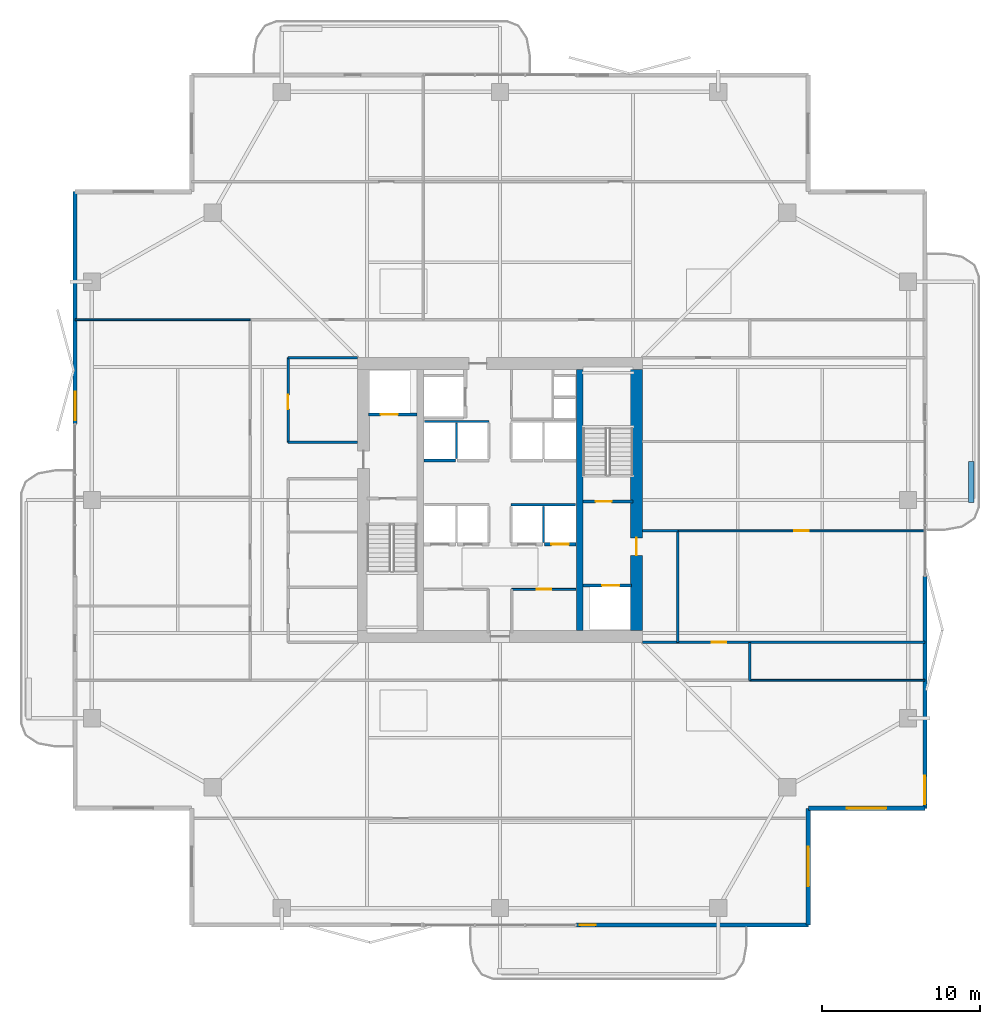
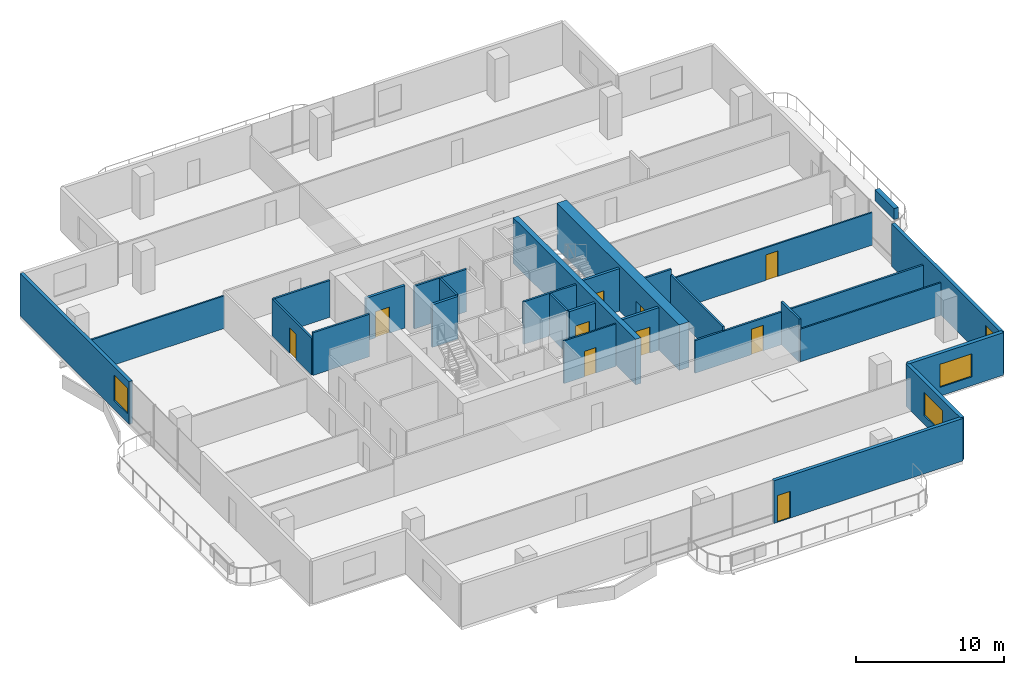
# One storey, part 18 of 24: 28 walls, 10 doors, 4 windows, 14 openings.
"""IFC4 building model written with IfcOpenShell, lengths in metres."""

from ifc_helpers import new_model, si_unit, direction, frame, frame_2d, origin, place, context, subcontext, project, spatial, rectangle, extrude, material, layer, layer_set, type_object, element, fill, save


model = new_model("IFC4")

# Units and contexts
model_context = context("Model", 3, precision=1e-05, world=origin(), true_north=direction((0.0, 1.0)))
body_context = subcontext(model_context, "Body", "Model", "MODEL_VIEW")
ifc_project = project(units=[si_unit("LENGTHUNIT", "METRE"), si_unit("AREAUNIT", "SQUARE_METRE"), si_unit("VOLUMEUNIT", "CUBIC_METRE"), si_unit("PLANEANGLEUNIT", "RADIAN"), si_unit("MASSUNIT", "GRAM", prefix="KILO")], contexts=[model_context])

# Site, building, storey
site_placement = place(None, origin())
site = spatial("IfcSite", under=ifc_project, at=site_placement, CompositionType="ELEMENT")
building_placement = place(site_placement, origin())
building = spatial("IfcBuilding", under=site, at=building_placement, Name="Belovzor Exchange Tower", CompositionType="ELEMENT")
storey_placement = place(building_placement, frame((0.0, 0.0, 237.449951171875)))
storey = spatial("IfcBuildingStorey", under=building, at=storey_placement, Name="L59", CompositionType="ELEMENT", Elevation=237.449951171875)

# Wall, opening, door
ifc_material_1 = material(Name="Acoustic Plasterboard on Galvanised Studs", Category="gypsum")
ifc_layer_1 = layer(ifc_material_1, 0.1201171875)
ifc_layer_set_1 = layer_set([ifc_layer_1], Name="Acoustic Plasterboard on Galvanised Studs")
wall_type_1 = type_object("IfcWallType", Name="Acoustic Double-Stud Partition Wall 120", PredefinedType="PARTITIONING", material=ifc_layer_set_1)
wall_1_placement = place(storey_placement, frame((40.050048828125, 26.85009765625, 0.0), z_axis=(0.0, 0.0, 1.0), x_axis=(1.0, 0.0, 0.0)))
wall_1 = element("IfcWall", 1, at=wall_1_placement, inside=storey, type_object=wall_type_1, Name="W-P120 Partition Wall W-L59-EDIV-1", PredefinedType="PARTITIONING", context=body_context, shape_type="SweptSolid", body=[
    extrude(rectangle(XDim=15.619873046875, YDim=0.1201171875, at=frame_2d((7.81005859375, 0.0))), origin(), (0.0, 0.0, 1.0), 2.68505859375),
])
opening_1_placement = place(wall_1_placement, frame((7.360107421875, 0.0, 0.0)))
opening_1 = element("IfcOpeningElement", 2, at=opening_1_placement, cuts=wall_1, Name="Opening D-INT-090", PredefinedType="OPENING", context=body_context, shape_type="SweptSolid", body=[
    extrude(rectangle(XDim=0.89990234375, YDim=2.10009765625, at=frame_2d((0.449951171875, 1.050048828125))), frame((0.0, 0.070068359375, 0.0), z_axis=(0.0, -1.0, 0.0), x_axis=(1.0, 0.0, 0.0)), (0.0, 0.0, 1.0), 0.14013671875),
])
ifc_material_2 = material(Name="Veneered Hardwood Acoustic Leaf", Category="wood")
door_type_1 = type_object("IfcDoorType", Name="Trading Suite Acoustic Single Door 900x2100", OperationType="NOTDEFINED", PredefinedType="DOOR", material=ifc_material_2)
door_1_placement = place(opening_1_placement, origin())
door_1 = element("IfcDoor", 3, at=door_1_placement, inside=storey, type_object=door_type_1, Name="D-INT-090 Trading Suite Acoustic Single Door 900x2100", OperationType="SINGLE_SWING_LEFT", OverallHeight=2.10009765625, OverallWidth=0.89990234375, PredefinedType="DOOR", context=body_context, shape_type="SweptSolid", body=[
    extrude(rectangle(XDim=0.89990234375, YDim=2.10009765625, at=frame_2d((0.449951171875, 1.050048828125))), frame((0.0, 0.02490234375, 0.0), z_axis=(0.0, -1.0, 0.0), x_axis=(1.0, 0.0, 0.0)), (0.0, 0.0, 1.0), 0.050048828125),
])
fill(opening_1, door_1)

# Walls
wall_2_placement = place(storey_placement, frame((44.60009765625, 17.39990234375, 0.0), z_axis=(0.0, 0.0, 1.0), x_axis=(1.0, 0.0, 0.0)))
element("IfcWall", 4, at=wall_2_placement, inside=storey, type_object=wall_type_1, Name="W-P120 Partition Wall W-L59-END-SE", PredefinedType="PARTITIONING", context=body_context, shape_type="SweptSolid", body=[
    extrude(rectangle(XDim=11.06982421875, YDim=0.1201171875, at=frame_2d((5.534912109375, 0.0))), origin(), (0.0, 0.0, 1.0), 2.68505859375),
])
wall_3_placement = place(storey_placement, frame((1.929931640625, 40.199951171875, 0.0), z_axis=(0.0, 0.0, 1.0), x_axis=(1.0, 0.0, 0.0)))
element("IfcWall", 5, at=wall_3_placement, inside=storey, type_object=wall_type_1, Name="W-P120 Partition Wall W-L59-END-NW", PredefinedType="PARTITIONING", context=body_context, shape_type="SweptSolid", body=[
    extrude(rectangle(XDim=11.070068359375, YDim=0.1201171875, at=frame_2d((5.53515625, 0.0))), origin(), (0.0, 0.0, 1.0), 2.68505859375),
])

# Wall, opening, door
ifc_material_3 = material(Name="Fire-Rated Plasterboard on Galvanised Studs", Category="gypsum")
ifc_layer_2 = layer(ifc_material_3, 0.1201171875)
ifc_layer_set_2 = layer_set([ifc_layer_2], Name="Fire-Rated Plasterboard on Galvanised Studs")
wall_type_2 = type_object("IfcWallType", Name="Fire-Rated Double-Stud Partition Wall 120", PredefinedType="PARTITIONING", material=ifc_layer_set_2)
wall_4_placement = place(storey_placement, frame((29.550048828125, 23.14990234375, 0.0), z_axis=(0.0, 0.0, 1.0), x_axis=(1.0, 0.0, 0.0)))
wall_4 = element("IfcWall", 6, at=wall_4_placement, inside=storey, type_object=wall_type_2, Name="W-P120F Partition Wall W-CRL-L59-EN", PredefinedType="PARTITIONING", context=body_context, shape_type="SweptSolid", body=[
    extrude(rectangle(XDim=4.050048828125, YDim=0.1201171875, at=frame_2d((2.02490234375, 0.0))), origin(), (0.0, 0.0, 1.0), 3.5),
])
opening_2_placement = place(wall_4_placement, frame((1.574951171875, 0.0, 0.0)))
opening_2 = element("IfcOpeningElement", 7, at=opening_2_placement, cuts=wall_4, Name="Opening D-FD60-090", PredefinedType="OPENING", context=body_context, shape_type="SweptSolid", body=[
    extrude(rectangle(XDim=0.89990234375, YDim=2.10009765625, at=frame_2d((0.449951171875, 1.050048828125))), frame((0.0, 0.070068359375, 0.0), z_axis=(0.0, -1.0, 0.0), x_axis=(1.0, 0.0, 0.0)), (0.0, 0.0, 1.0), 0.14013671875),
])
ifc_material_4 = material(Name="Acoustic Timber Fire Leaf", Category="wood")
door_type_2 = type_object("IfcDoorType", Name="Core Service & Restroom Fire Door 900x2100", OperationType="NOTDEFINED", PredefinedType="DOOR", material=ifc_material_4)
door_2_placement = place(opening_2_placement, origin())
door_2 = element("IfcDoor", 8, at=door_2_placement, inside=storey, type_object=door_type_2, Name="D-FD60-090 Core Service & Restroom Fire Door 900x2100", OperationType="SINGLE_SWING_RIGHT", OverallHeight=2.10009765625, OverallWidth=0.89990234375, PredefinedType="DOOR", context=body_context, shape_type="SweptSolid", body=[
    extrude(rectangle(XDim=0.89990234375, YDim=2.10009765625, at=frame_2d((0.449951171875, 1.050048828125))), frame((0.0, 0.02490234375, 0.0), z_axis=(0.0, -1.0, 0.0), x_axis=(1.0, 0.0, 0.0)), (0.0, 0.0, 1.0), 0.050048828125),
])
fill(opening_2, door_2)

# Walls
ifc_material_5 = material(Name="Fire-Rated Gypsum Block and Mineral Wool", Category="gypsum")
ifc_layer_3 = layer(ifc_material_5, 0.14990234375)
ifc_layer_set_3 = layer_set([ifc_layer_3], Name="Fire-Rated Gypsum Block and Mineral Wool")
wall_type_3 = type_object("IfcWallType", Name="Fire-Rated Gypsum Block Corridor Wall 150", PredefinedType="PARTITIONING", material=ifc_layer_set_3)
wall_5_placement = place(storey_placement, frame((15.39990234375, 32.449951171875, 0.0), z_axis=(0.0, 0.0, 1.0), x_axis=(1.0, 0.0, 0.0)))
element("IfcWall", 9, at=wall_5_placement, inside=storey, type_object=wall_type_3, Name="W-P150 Partition Wall W-L59-CFW-N", PredefinedType="PARTITIONING", context=body_context, shape_type="SweptSolid", body=[
    extrude(rectangle(XDim=4.400146484375, YDim=0.14990234375, at=frame_2d((2.2001953125, 0.0))), origin(), (0.0, 0.0, 1.0), 3.5),
])
wall_6_placement = place(storey_placement, frame((15.39990234375, 37.800048828125, 0.0), z_axis=(0.0, 0.0, 1.0), x_axis=(1.0, 0.0, 0.0)))
element("IfcWall", 10, at=wall_6_placement, inside=storey, type_object=wall_type_3, Name="W-P150 Partition Wall W-L59-INW-N", PredefinedType="PARTITIONING", context=body_context, shape_type="SweptSolid", body=[
    extrude(rectangle(XDim=4.400146484375, YDim=0.14990234375, at=frame_2d((2.2001953125, 0.0))), origin(), (0.0, 0.0, 1.0), 3.03515625),
])

# Wall, opening, door
wall_7_placement = place(storey_placement, frame((15.39990234375, 32.449951171875, 0.0), z_axis=(0.0, 0.0, 1.0), x_axis=(0.0, 1.0, 0.0)))
wall_7 = element("IfcWall", 11, at=wall_7_placement, inside=storey, type_object=wall_type_3, Name="W-P150 Partition Wall W-L59-WIE-N", PredefinedType="PARTITIONING", context=body_context, shape_type="SweptSolid", body=[
    extrude(rectangle(XDim=5.35009765625, YDim=0.14990234375, at=frame_2d((2.675048828125, 0.0))), origin(), (0.0, 0.0, 1.0), 3.03515625),
])
opening_3_placement = place(wall_7_placement, frame((2.10009765625, 0.0, 0.0)))
opening_3 = element("IfcOpeningElement", 12, at=opening_3_placement, cuts=wall_7, Name="Opening D-FD60-090", PredefinedType="OPENING", context=body_context, shape_type="SweptSolid", body=[
    extrude(rectangle(XDim=0.89990234375, YDim=2.10009765625, at=frame_2d((0.449951171875, 1.050048828125))), frame((0.0, 0.0849609375, 0.0), z_axis=(0.0, -1.0, 0.0), x_axis=(1.0, 0.0, 0.0)), (0.0, 0.0, 1.0), 0.169921875),
])
door_3_placement = place(opening_3_placement, origin())
door_3 = element("IfcDoor", 13, at=door_3_placement, inside=storey, type_object=door_type_2, Name="D-FD60-090 Core Service & Restroom Fire Door 900x2100", OperationType="SINGLE_SWING_LEFT", OverallHeight=2.10009765625, OverallWidth=0.89990234375, PredefinedType="DOOR", context=body_context, shape_type="SweptSolid", body=[
    extrude(rectangle(XDim=0.89990234375, YDim=2.10009765625, at=frame_2d((0.449951171875, 1.050048828125))), frame((0.0, 0.02490234375, 0.0), z_axis=(0.0, -1.0, 0.0), x_axis=(1.0, 0.0, 0.0)), (0.0, 0.0, 1.0), 0.050048828125),
])
fill(opening_3, door_3)

# Walls
wall_8_placement = place(storey_placement, frame((37.800048828125, 26.85009765625, 0.0), z_axis=(0.0, 0.0, 1.0), x_axis=(1.0, 0.0, 0.0)))
element("IfcWall", 14, at=wall_8_placement, inside=storey, type_object=wall_type_3, Name="W-P150 Partition Wall W-L59-CFE-N", PredefinedType="PARTITIONING", context=body_context, shape_type="SweptSolid", body=[
    extrude(rectangle(XDim=2.25, YDim=0.14990234375, at=frame_2d((1.125, 0.0))), origin(), (0.0, 0.0, 1.0), 3.5),
])
wall_9_placement = place(storey_placement, frame((40.050048828125, 19.800048828125, 0.0), z_axis=(0.0, 0.0, 1.0), x_axis=(0.0, 1.0, 0.0)))
element("IfcWall", 15, at=wall_9_placement, inside=storey, type_object=wall_type_3, Name="W-P150 Partition Wall W-L59-CFE-E", PredefinedType="PARTITIONING", context=body_context, shape_type="SweptSolid", body=[
    extrude(rectangle(XDim=7.050048828125, YDim=0.14990234375, at=frame_2d((3.52490234375, 0.0))), origin(), (0.0, 0.0, 1.0), 3.03515625),
])
wall_10_placement = place(storey_placement, frame((44.60009765625, 17.39990234375, 0.0), z_axis=(0.0, 0.0, 1.0), x_axis=(0.0, 1.0, 0.0)))
element("IfcWall", 16, at=wall_10_placement, inside=storey, type_object=wall_type_3, Name="W-P150 Partition Wall W-L59-END-ES", PredefinedType="PARTITIONING", context=body_context, shape_type="SweptSolid", body=[
    extrude(rectangle(XDim=2.400146484375, YDim=0.14990234375, at=frame_2d((1.2001953125, 0.0))), origin(), (0.0, 0.0, 1.0), 3.5),
])

# Wall, opening, door
wall_11_placement = place(storey_placement, frame((37.800048828125, 19.800048828125, 0.0), z_axis=(0.0, 0.0, 1.0), x_axis=(1.0, 0.0, 0.0)))
wall_11 = element("IfcWall", 17, at=wall_11_placement, inside=storey, type_object=wall_type_3, Name="W-P150 Partition Wall W-L59-CS-IN", PredefinedType="PARTITIONING", context=body_context, shape_type="SweptSolid", body=[
    extrude(rectangle(XDim=17.869873046875, YDim=0.14990234375, at=frame_2d((8.93505859375, 0.0))), origin(), (0.0, 0.0, 1.0), 2.68505859375),
])
opening_4_placement = place(wall_11_placement, frame((4.39990234375, 0.0, 0.0)))
opening_4 = element("IfcOpeningElement", 18, at=opening_4_placement, cuts=wall_11, Name="Opening D-INT-090", PredefinedType="OPENING", context=body_context, shape_type="SweptSolid", body=[
    extrude(rectangle(XDim=0.89990234375, YDim=2.10009765625, at=frame_2d((0.449951171875, 1.050048828125))), frame((0.0, 0.0849609375, 0.0), z_axis=(0.0, -1.0, 0.0), x_axis=(1.0, 0.0, 0.0)), (0.0, 0.0, 1.0), 0.169921875),
])
door_4_placement = place(opening_4_placement, origin())
door_4 = element("IfcDoor", 19, at=door_4_placement, inside=storey, type_object=door_type_1, Name="D-INT-090 Trading Suite Acoustic Single Door 900x2100", OperationType="SINGLE_SWING_LEFT", OverallHeight=2.10009765625, OverallWidth=0.89990234375, PredefinedType="DOOR", context=body_context, shape_type="SweptSolid", body=[
    extrude(rectangle(XDim=0.89990234375, YDim=2.10009765625, at=frame_2d((0.449951171875, 1.050048828125))), frame((0.0, 0.02490234375, 0.0), z_axis=(0.0, -1.0, 0.0), x_axis=(1.0, 0.0, 0.0)), (0.0, 0.0, 1.0), 0.050048828125),
])
fill(opening_4, door_4)

# Wall, opening, window
ifc_material_6 = material(Name="Precast concrete C40/50", Category="concrete")
ifc_layer_4 = layer(ifc_material_6, 0.280029296875)
ifc_layer_set_4 = layer_set([ifc_layer_4], Name="Precast concrete C40/50")
wall_type_4 = type_object("IfcWallType", Name="Precast Concrete Notched Corner Frame Wall 280", PredefinedType="SOLIDWALL", material=ifc_layer_set_4)
wall_12_placement = place(storey_placement, frame((55.669921875, 9.300048828125, 0.0), z_axis=(0.0, 0.0, 1.0), x_axis=(-1.0, 0.0, 0.0)))
wall_12 = element("IfcWall", 20, at=wall_12_placement, inside=storey, type_object=wall_type_4, Name="W-CRN280 Precast Concrete Notched Corner Frame Wall 280 L59", PredefinedType="SOLIDWALL", context=body_context, shape_type="SweptSolid", body=[
    extrude(rectangle(XDim=7.369873046875, YDim=0.280029296875, at=frame_2d((3.68505859375, 0.0))), origin(), (0.0, 0.0, 1.0), 3.5),
])
opening_5_placement = place(wall_12_placement, frame((2.43505859375, 0.0, 0.719970703125)))
opening_5 = element("IfcOpeningElement", 21, at=opening_5_placement, cuts=wall_12, Name="Opening WN-CRN250", PredefinedType="OPENING", context=body_context, shape_type="SweptSolid", body=[
    extrude(rectangle(XDim=2.5, YDim=1.89990234375, at=frame_2d((1.25, 0.949951171875))), frame((0.0, 0.14990234375, 0.0), z_axis=(0.0, -1.0, 0.0), x_axis=(1.0, 0.0, 0.0)), (0.0, 0.0, 1.0), 0.300048828125),
])
ifc_material_7 = material(Name="Thermally Broken Aluminium and Triple Glazing", Category="aluminium")
window_type_1 = type_object("IfcWindowType", Name="Streamline Moderne Corner Wrap Ribbon Window 2500x1900", PartitioningType="SINGLE_PANEL", PredefinedType="WINDOW", material=ifc_material_7)
window_1_placement = place(opening_5_placement, origin())
window_1 = element("IfcWindow", 22, at=window_1_placement, inside=storey, type_object=window_type_1, Name="WN-CRN250 Streamline Moderne Corner Wrap Ribbon Window 2500x1900", OverallHeight=1.89990234375, OverallWidth=2.5, PartitioningType="SINGLE_PANEL", PredefinedType="WINDOW", context=body_context, shape_type="SweptSolid", body=[
    extrude(rectangle(XDim=2.5, YDim=1.89990234375, at=frame_2d((1.25, 0.949951171875))), frame((0.0, 0.030029296875, 0.0), z_axis=(0.0, -1.0, 0.0), x_axis=(1.0, 0.0, 0.0)), (0.0, 0.0, 1.0), 0.06005859375),
])
fill(opening_5, window_1)

wall_13_placement = place(storey_placement, frame((48.300048828125, 9.300048828125, 0.0), z_axis=(0.0, 0.0, 1.0), x_axis=(0.0, -1.0, 0.0)))
wall_13 = element("IfcWall", 23, at=wall_13_placement, inside=storey, type_object=wall_type_4, Name="W-CRN280 Precast Concrete Notched Corner Frame Wall 280 L59", PredefinedType="SOLIDWALL", context=body_context, shape_type="SweptSolid", body=[
    extrude(rectangle(XDim=7.3701171875, YDim=0.280029296875, at=frame_2d((3.68505859375, 0.0))), origin(), (0.0, 0.0, 1.0), 3.5),
])
opening_6_placement = place(wall_13_placement, frame((2.43505859375, 0.0, 0.719970703125)))
opening_6 = element("IfcOpeningElement", 24, at=opening_6_placement, cuts=wall_13, Name="Opening WN-CRN250", PredefinedType="OPENING", context=body_context, shape_type="SweptSolid", body=[
    extrude(rectangle(XDim=2.5, YDim=1.89990234375, at=frame_2d((1.25, 0.949951171875))), frame((0.0, 0.14990234375, 0.0), z_axis=(0.0, -1.0, 0.0), x_axis=(1.0, 0.0, 0.0)), (0.0, 0.0, 1.0), 0.300048828125),
])
window_2_placement = place(opening_6_placement, origin())
window_2 = element("IfcWindow", 25, at=window_2_placement, inside=storey, type_object=window_type_1, Name="WN-CRN250 Streamline Moderne Corner Wrap Ribbon Window 2500x1900", OverallHeight=1.89990234375, OverallWidth=2.5, PartitioningType="SINGLE_PANEL", PredefinedType="WINDOW", context=body_context, shape_type="SweptSolid", body=[
    extrude(rectangle(XDim=2.5, YDim=1.89990234375, at=frame_2d((1.25, 0.949951171875))), frame((0.0, 0.030029296875, 0.0), z_axis=(0.0, -1.0, 0.0), x_axis=(1.0, 0.0, 0.0)), (0.0, 0.0, 1.0), 0.06005859375),
])
fill(opening_6, window_2)

# Wall, opening, door
ifc_material_8 = material(Name="Precast concrete C40/50", Category="concrete")
ifc_layer_5 = layer(ifc_material_8, 0.260009765625)
ifc_layer_set_5 = layer_set([ifc_layer_5], Name="Precast concrete C40/50")
wall_type_5 = type_object("IfcWallType", Name="Precast Concrete Perimeter Loggia Frame Wall 260", PredefinedType="SOLIDWALL", material=ifc_layer_set_5)
wall_14_placement = place(storey_placement, frame((48.300048828125, 1.929931640625, 0.0), z_axis=(0.0, 0.0, 1.0), x_axis=(-1.0, 0.0, 0.0)))
wall_14 = element("IfcWall", 26, at=wall_14_placement, inside=storey, type_object=wall_type_5, Name="W-EXT260 Precast Concrete Perimeter Loggia Frame Wall 260 L59", PredefinedType="SOLIDWALL", context=body_context, shape_type="SweptSolid", body=[
    extrude(rectangle(XDim=14.699951171875, YDim=0.260009765625, at=frame_2d((7.35009765625, 0.0))), origin(), (0.0, 0.0, 1.0), 3.5),
])
opening_7_placement = place(wall_14_placement, frame((13.449951171875, 0.0, 0.0)))
opening_7 = element("IfcOpeningElement", 27, at=opening_7_placement, cuts=wall_14, Name="Opening D-BAL100", PredefinedType="OPENING", context=body_context, shape_type="SweptSolid", body=[
    extrude(rectangle(XDim=1.0, YDim=2.199951171875, at=frame_2d((0.5, 1.10009765625))), frame((0.0, 0.139892578125, 0.0), z_axis=(0.0, -1.0, 0.0), x_axis=(1.0, 0.0, 0.0)), (0.0, 0.0, 1.0), 0.280029296875),
])
ifc_material_9 = material(Name="Thermally Broken Anodised Aluminium and Laminated Glass", Category="aluminium")
door_type_3 = type_object("IfcDoorType", Name="Planted Loggia Terrace Glazed Door 1000x2200", OperationType="SINGLE_SWING_LEFT", PredefinedType="DOOR", material=ifc_material_9)
door_5_placement = place(opening_7_placement, origin())
door_5 = element("IfcDoor", 28, at=door_5_placement, inside=storey, type_object=door_type_3, Name="D-BAL100 Balcony Terrace Door L59 S", OperationType="SINGLE_SWING_LEFT", OverallHeight=2.199951171875, OverallWidth=1.0, PredefinedType="DOOR", context=body_context, shape_type="SweptSolid", body=[
    extrude(rectangle(XDim=1.0, YDim=2.199951171875, at=frame_2d((0.5, 1.10009765625))), frame((0.0, 0.02490234375, 0.0), z_axis=(0.0, -1.0, 0.0), x_axis=(1.0, 0.0, 0.0)), (0.0, 0.0, 1.0), 0.050048828125),
])
fill(opening_7, door_5)

# Wall, opening, window
wall_15_placement = place(storey_placement, frame((1.929931640625, 33.60009765625, 0.0), z_axis=(0.0, 0.0, 1.0), x_axis=(0.0, 1.0, 0.0)))
wall_15 = element("IfcWall", 29, at=wall_15_placement, inside=storey, type_object=wall_type_5, Name="W-EXT260 Precast Concrete Perimeter Loggia Frame Wall 260 L59", PredefinedType="SOLIDWALL", context=body_context, shape_type="SweptSolid", body=[
    extrude(rectangle(XDim=14.699951171875, YDim=0.260009765625, at=frame_2d((7.35009765625, 0.0))), origin(), (0.0, 0.0, 1.0), 3.5),
])
opening_8_placement = place(wall_15_placement, frame((0.25, 0.0, 0.719970703125)))
opening_8 = element("IfcOpeningElement", 30, at=opening_8_placement, cuts=wall_15, Name="Opening WN-LOG180", PredefinedType="OPENING", context=body_context, shape_type="SweptSolid", body=[
    extrude(rectangle(XDim=1.800048828125, YDim=2.10009765625, at=frame_2d((0.89990234375, 1.050048828125))), frame((0.0, 0.139892578125, 0.0), z_axis=(0.0, -1.0, 0.0), x_axis=(1.0, 0.0, 0.0)), (0.0, 0.0, 1.0), 0.280029296875),
])
ifc_material_10 = material(Name="Thermally Broken Aluminium and Triple Glazing", Category="aluminium")
window_type_2 = type_object("IfcWindowType", Name="Triple-Glazed Loggia Punched Window 1800x2100", PartitioningType="SINGLE_PANEL", PredefinedType="WINDOW", material=ifc_material_10)
window_3_placement = place(opening_8_placement, origin())
window_3 = element("IfcWindow", 31, at=window_3_placement, inside=storey, type_object=window_type_2, Name="WN-LOG180 Triple-Glazed Loggia Punched Window 1800x2100", OverallHeight=2.10009765625, OverallWidth=1.800048828125, PartitioningType="SINGLE_PANEL", PredefinedType="WINDOW", context=body_context, shape_type="SweptSolid", body=[
    extrude(rectangle(XDim=1.800048828125, YDim=2.10009765625, at=frame_2d((0.89990234375, 1.050048828125))), frame((0.0, 0.030029296875, 0.0), z_axis=(0.0, -1.0, 0.0), x_axis=(1.0, 0.0, 0.0)), (0.0, 0.0, 1.0), 0.06005859375),
])
fill(opening_8, window_3)

wall_16_placement = place(storey_placement, frame((55.669921875, 24.0, 0.0), z_axis=(0.0, 0.0, 1.0), x_axis=(0.0, -1.0, 0.0)))
wall_16 = element("IfcWall", 32, at=wall_16_placement, inside=storey, type_object=wall_type_5, Name="W-EXT260 Precast Concrete Perimeter Loggia Frame Wall 260 L59", PredefinedType="SOLIDWALL", context=body_context, shape_type="SweptSolid", body=[
    extrude(rectangle(XDim=14.699951171875, YDim=0.260009765625, at=frame_2d((7.35009765625, 0.0))), origin(), (0.0, 0.0, 1.0), 3.5),
])
opening_9_placement = place(wall_16_placement, frame((12.64990234375, 0.0, 0.719970703125)))
opening_9 = element("IfcOpeningElement", 33, at=opening_9_placement, cuts=wall_16, Name="Opening WN-LOG180", PredefinedType="OPENING", context=body_context, shape_type="SweptSolid", body=[
    extrude(rectangle(XDim=1.800048828125, YDim=2.10009765625, at=frame_2d((0.89990234375, 1.050048828125))), frame((0.0, 0.139892578125, 0.0), z_axis=(0.0, -1.0, 0.0), x_axis=(1.0, 0.0, 0.0)), (0.0, 0.0, 1.0), 0.280029296875),
])
window_4_placement = place(opening_9_placement, origin())
window_4 = element("IfcWindow", 34, at=window_4_placement, inside=storey, type_object=window_type_2, Name="WN-LOG180 Triple-Glazed Loggia Punched Window 1800x2100", OverallHeight=2.10009765625, OverallWidth=1.800048828125, PartitioningType="SINGLE_PANEL", PredefinedType="WINDOW", context=body_context, shape_type="SweptSolid", body=[
    extrude(rectangle(XDim=1.800048828125, YDim=2.10009765625, at=frame_2d((0.89990234375, 1.050048828125))), frame((0.0, 0.030029296875, 0.0), z_axis=(0.0, -1.0, 0.0), x_axis=(1.0, 0.0, 0.0)), (0.0, 0.0, 1.0), 0.06005859375),
])
fill(opening_9, window_4)

# Walls
ifc_material_11 = material(Name="Precast concrete C40/50", Category="concrete")
ifc_layer_6 = layer(ifc_material_11, 0.35009765625)
ifc_layer_set_6 = layer_set([ifc_layer_6], Name="Precast concrete C40/50")
wall_type_6 = type_object("IfcWallType", Name="Precast Concrete Structural Tree Planter Trough 350", PredefinedType="PARAPET", material=ifc_layer_set_6)
wall_17_placement = place(storey_placement, frame((58.60009765625, 28.64990234375, 0.0), z_axis=(0.0, 0.0, 1.0), x_axis=(0.0, 1.0, 0.0)))
element("IfcWall", 35, at=wall_17_placement, inside=storey, type_object=wall_type_6, Name="PT-350 Precast Concrete Structural Tree Planter Trough 350 L59", PredefinedType="PARAPET", context=body_context, shape_type="SweptSolid", body=[
    extrude(rectangle(XDim=2.60009765625, YDim=0.35009765625, at=frame_2d((1.300048828125, 0.0))), origin(), (0.0, 0.0, 1.0), 0.900146484375),
])
ifc_material_12 = material(Name="Concrete C50/60", Category="concrete")
ifc_layer_7 = layer(ifc_material_12, 0.39990234375)
ifc_layer_set_7 = layer_set([ifc_layer_7], Name="Concrete C50/60")
wall_type_7 = type_object("IfcWallType", Name="Reinforced Concrete Core Internal Web Wall 400", PredefinedType="SHEAR", material=ifc_layer_set_7)
wall_18_placement = place(storey_placement, frame((33.85009765625, 20.550048828125, 0.0), z_axis=(0.0, 0.0, 1.0), x_axis=(0.0, 1.0, 0.0)))
element("IfcWall", 36, at=wall_18_placement, inside=storey, type_object=wall_type_7, Name="CW-W040 Core Internal Web Wall L59 ER", PredefinedType="SHEAR", context=body_context, shape_type="SweptSolid", body=[
    extrude(rectangle(XDim=16.5, YDim=0.39990234375, at=frame_2d((8.25, 0.0))), origin(), (0.0, 0.0, 1.0), 3.75),
])
ifc_material_13 = material(Name="Concrete C50/60", Category="concrete")
ifc_layer_8 = layer(ifc_material_13, 0.14990234375)
ifc_layer_set_8 = layer_set([ifc_layer_8], Name="Concrete C50/60")
wall_type_8 = type_object("IfcWallType", Name="Reinforced Concrete Core Riser Shear Wall 150", PredefinedType="SHEAR", material=ifc_layer_set_8)
wall_19_placement = place(storey_placement, frame((29.5, 28.5, 0.0), z_axis=(0.0, 0.0, 1.0), x_axis=(1.0, 0.0, 0.0)))
element("IfcWall", 37, at=wall_19_placement, inside=storey, type_object=wall_type_8, Name="W-C150S Core Shaft Wall W-SHB-L59-PLM-NE", PredefinedType="SHEAR", context=body_context, shape_type="SweptSolid", body=[
    extrude(rectangle(XDim=4.080078125, YDim=0.14990234375, at=frame_2d((2.0400390625, 0.0))), origin(), (0.0, 0.0, 1.0), 3.5),
])
wall_20_placement = place(storey_placement, frame((31.550048828125, 26.1201171875, 0.0), z_axis=(0.0, 0.0, 1.0), x_axis=(0.0, 1.0, 0.0)))
element("IfcWall", 38, at=wall_20_placement, inside=storey, type_object=wall_type_8, Name="W-C150S Core Shaft Wall W-SHD-L59-PLM-4", PredefinedType="SHEAR", context=body_context, shape_type="SweptSolid", body=[
    extrude(rectangle(XDim=2.27978515625, YDim=0.14990234375, at=frame_2d((1.139892578125, 0.0))), origin(), (0.0, 0.0, 1.0), 3.5),
])
wall_21_placement = place(storey_placement, frame((24.02001953125, 33.760009765625, 0.0), z_axis=(0.0, 0.0, 1.0), x_axis=(1.0, 0.0, 0.0)))
element("IfcWall", 39, at=wall_21_placement, inside=storey, type_object=wall_type_8, Name="W-C150S Core Shaft Wall W-SHB-L59-PLH-NW", PredefinedType="SHEAR", context=body_context, shape_type="SweptSolid", body=[
    extrude(rectangle(XDim=4.080078125, YDim=0.14990234375, at=frame_2d((2.0400390625, 0.0))), origin(), (0.0, 0.0, 1.0), 3.5),
])
wall_22_placement = place(storey_placement, frame((26.050048828125, 31.419921875, 0.0), z_axis=(0.0, 0.0, 1.0), x_axis=(0.0, 1.0, 0.0)))
element("IfcWall", 40, at=wall_22_placement, inside=storey, type_object=wall_type_8, Name="W-C150S Core Shaft Wall W-SHD-L59-PLH-1", PredefinedType="SHEAR", context=body_context, shape_type="SweptSolid", body=[
    extrude(rectangle(XDim=2.239990234375, YDim=0.14990234375, at=frame_2d((1.1201171875, 0.0))), origin(), (0.0, 0.0, 1.0), 3.5),
])

# Wall, opening, door
ifc_material_14 = material(Name="Concrete C50/60", Category="concrete")
ifc_layer_9 = layer(ifc_material_14, 0.199951171875)
ifc_layer_set_9 = layer_set([ifc_layer_9], Name="Concrete C50/60")
wall_type_9 = type_object("IfcWallType", Name="Reinforced Concrete Core Shaft Shear Wall 200", PredefinedType="SHEAR", material=ifc_layer_set_9)
wall_23_placement = place(storey_placement, frame((34.050048828125, 28.699951171875, 0.0), z_axis=(0.0, 0.0, 1.0), x_axis=(1.0, 0.0, 0.0)))
wall_23 = element("IfcWall", 41, at=wall_23_placement, inside=storey, type_object=wall_type_9, Name="W-C200S Core Shaft Wall W-CORE-L59-FFLE2", PredefinedType="SHEAR", context=body_context, shape_type="SweptSolid", body=[
    extrude(rectangle(XDim=3.14990234375, YDim=0.199951171875, at=frame_2d((1.574951171875, 0.0))), origin(), (0.0, 0.0, 1.0), 3.5),
])
opening_10_placement = place(wall_23_placement, frame((0.800048828125, 0.0, 0.0)))
opening_10 = element("IfcOpeningElement", 42, at=opening_10_placement, cuts=wall_23, Name="Opening D-FD90-100", PredefinedType="OPENING", context=body_context, shape_type="SweptSolid", body=[
    extrude(rectangle(XDim=1.0, YDim=2.10009765625, at=frame_2d((0.5, 1.050048828125))), frame((0.0, 0.10986328125, 0.0), z_axis=(0.0, -1.0, 0.0), x_axis=(1.0, 0.0, 0.0)), (0.0, 0.0, 1.0), 0.219970703125),
])
ifc_material_15 = material(Name="Fire-Rated Galvanised Steel Leaf", Category="steel")
door_type_4 = type_object("IfcDoorType", Name="Protected Stairwell Single Fire Door 1000x2100", OperationType="NOTDEFINED", PredefinedType="DOOR", material=ifc_material_15)
door_6_placement = place(opening_10_placement, origin())
door_6 = element("IfcDoor", 43, at=door_6_placement, inside=storey, type_object=door_type_4, Name="D-FD90-100 Protected Stairwell Single Fire Door 1000x2100", OperationType="SINGLE_SWING_LEFT", OverallHeight=2.10009765625, OverallWidth=1.0, PredefinedType="DOOR", context=body_context, shape_type="SweptSolid", body=[
    extrude(rectangle(XDim=1.0, YDim=2.10009765625, at=frame_2d((0.5, 1.050048828125))), frame((0.0, 0.02490234375, 0.0), z_axis=(0.0, -1.0, 0.0), x_axis=(1.0, 0.0, 0.0)), (0.0, 0.0, 1.0), 0.050048828125),
])
fill(opening_10, door_6)

wall_24_placement = place(storey_placement, frame((20.5, 34.199951171875, 0.0), z_axis=(0.0, 0.0, 1.0), x_axis=(1.0, 0.0, 0.0)))
wall_24 = element("IfcWall", 44, at=wall_24_placement, inside=storey, type_object=wall_type_9, Name="W-C200S Core Shaft Wall W-SH-L59-FFL-01", PredefinedType="SHEAR", context=body_context, shape_type="SweptSolid", body=[
    extrude(rectangle(XDim=3.050048828125, YDim=0.199951171875, at=frame_2d((1.52490234375, 0.0))), origin(), (0.0, 0.0, 1.0), 3.5),
])
opening_11_placement = place(wall_24_placement, frame((0.75, 0.0, 0.0)))
opening_11 = element("IfcOpeningElement", 45, at=opening_11_placement, cuts=wall_24, Name="Opening LD-110", PredefinedType="OPENING", context=body_context, shape_type="SweptSolid", body=[
    extrude(rectangle(XDim=1.10009765625, YDim=2.14990234375, at=frame_2d((0.550048828125, 1.074951171875))), frame((0.0, 0.10986328125, 0.0), z_axis=(0.0, -1.0, 0.0), x_axis=(1.0, 0.0, 0.0)), (0.0, 0.0, 1.0), 0.219970703125),
])
ifc_material_16 = material(Name="Stainless Steel Grade 304", Category="steel")
door_type_5 = type_object("IfcDoorType", Name="Automated Stainless Steel Lift Landing Door 1100x2150", OperationType="SLIDING_TO_RIGHT", PredefinedType="DOOR", material=ifc_material_16)
door_7_placement = place(opening_11_placement, origin())
door_7 = element("IfcDoor", 46, at=door_7_placement, inside=storey, type_object=door_type_5, Name="LD-110 Automated Stainless Steel Lift Landing Door 1100x2150", OperationType="SLIDING_TO_RIGHT", OverallHeight=2.14990234375, OverallWidth=1.10009765625, PredefinedType="DOOR", context=body_context, shape_type="SweptSolid", body=[
    extrude(rectangle(XDim=1.10009765625, YDim=2.14990234375, at=frame_2d((0.550048828125, 1.074951171875))), frame((0.0, 0.02490234375, 0.0), z_axis=(0.0, -1.0, 0.0), x_axis=(1.0, 0.0, 0.0)), (0.0, 0.0, 1.0), 0.050048828125),
])
fill(opening_11, door_7)

wall_25_placement = place(storey_placement, frame((34.050048828125, 23.39990234375, 0.0), z_axis=(0.0, 0.0, 1.0), x_axis=(1.0, 0.0, 0.0)))
wall_25 = element("IfcWall", 47, at=wall_25_placement, inside=storey, type_object=wall_type_9, Name="W-C200S Core Shaft Wall W-SH-L59-FFL-02", PredefinedType="SHEAR", context=body_context, shape_type="SweptSolid", body=[
    extrude(rectangle(XDim=3.050048828125, YDim=0.199951171875, at=frame_2d((1.52490234375, 0.0))), origin(), (0.0, 0.0, 1.0), 3.5),
])
opening_12_placement = place(wall_25_placement, frame((1.199951171875, 0.0, 0.0)))
opening_12 = element("IfcOpeningElement", 48, at=opening_12_placement, cuts=wall_25, Name="Opening LD-110", PredefinedType="OPENING", context=body_context, shape_type="SweptSolid", body=[
    extrude(rectangle(XDim=1.10009765625, YDim=2.14990234375, at=frame_2d((0.550048828125, 1.074951171875))), frame((0.0, 0.10986328125, 0.0), z_axis=(0.0, -1.0, 0.0), x_axis=(1.0, 0.0, 0.0)), (0.0, 0.0, 1.0), 0.219970703125),
])
door_8_placement = place(opening_12_placement, origin())
door_8 = element("IfcDoor", 49, at=door_8_placement, inside=storey, type_object=door_type_5, Name="LD-110 Automated Stainless Steel Lift Landing Door 1100x2150", OperationType="SLIDING_TO_RIGHT", OverallHeight=2.14990234375, OverallWidth=1.10009765625, PredefinedType="DOOR", context=body_context, shape_type="SweptSolid", body=[
    extrude(rectangle(XDim=1.10009765625, YDim=2.14990234375, at=frame_2d((0.550048828125, 1.074951171875))), frame((0.0, 0.02490234375, 0.0), z_axis=(0.0, -1.0, 0.0), x_axis=(1.0, 0.0, 0.0)), (0.0, 0.0, 1.0), 0.050048828125),
])
fill(opening_12, door_8)

wall_26_placement = place(storey_placement, frame((31.60009765625, 26.0, 0.0), z_axis=(0.0, 0.0, 1.0), x_axis=(1.0, 0.0, 0.0)))
wall_26 = element("IfcWall", 50, at=wall_26_placement, inside=storey, type_object=wall_type_9, Name="W-C200S Core Shaft Wall W-SH-L59-PL-M4", PredefinedType="SHEAR", context=body_context, shape_type="SweptSolid", body=[
    extrude(rectangle(XDim=2.0, YDim=0.199951171875, at=frame_2d((1.0, 0.0))), origin(), (0.0, 0.0, 1.0), 3.5),
])
opening_13_placement = place(wall_26_placement, frame((0.449951171875, 0.0, 0.0)))
opening_13 = element("IfcOpeningElement", 51, at=opening_13_placement, cuts=wall_26, Name="Opening LD-110", PredefinedType="OPENING", context=body_context, shape_type="SweptSolid", body=[
    extrude(rectangle(XDim=1.10009765625, YDim=2.14990234375, at=frame_2d((0.550048828125, 1.074951171875))), frame((0.0, 0.10986328125, 0.0), z_axis=(0.0, -1.0, 0.0), x_axis=(1.0, 0.0, 0.0)), (0.0, 0.0, 1.0), 0.219970703125),
])
door_9_placement = place(opening_13_placement, origin())
door_9 = element("IfcDoor", 52, at=door_9_placement, inside=storey, type_object=door_type_5, Name="LD-110 Automated Stainless Steel Lift Landing Door 1100x2150", OperationType="SLIDING_TO_RIGHT", OverallHeight=2.14990234375, OverallWidth=1.10009765625, PredefinedType="DOOR", context=body_context, shape_type="SweptSolid", body=[
    extrude(rectangle(XDim=1.10009765625, YDim=2.14990234375, at=frame_2d((0.550048828125, 1.074951171875))), frame((0.0, 0.02490234375, 0.0), z_axis=(0.0, -1.0, 0.0), x_axis=(1.0, 0.0, 0.0)), (0.0, 0.0, 1.0), 0.050048828125),
])
fill(opening_13, door_9)

# Wall
wall_27_placement = place(storey_placement, frame((24.0, 31.300048828125, 0.0), z_axis=(0.0, 0.0, 1.0), x_axis=(1.0, 0.0, 0.0)))
element("IfcWall", 53, at=wall_27_placement, inside=storey, type_object=wall_type_9, Name="W-C200S Core Shaft Wall W-SH-L59-PL-H1", PredefinedType="SHEAR", context=body_context, shape_type="SweptSolid", body=[
    extrude(rectangle(XDim=2.0, YDim=0.199951171875, at=frame_2d((1.0, 0.0))), origin(), (0.0, 0.0, 1.0), 3.5),
])

# Wall, opening, door
ifc_material_17 = material(Name="Concrete C50/60", Category="concrete")
ifc_layer_10 = layer(ifc_material_17, 0.75)
ifc_layer_set_10 = layer_set([ifc_layer_10], Name="Concrete C50/60")
wall_type_10 = type_object("IfcWallType", Name="Reinforced Concrete Core Shear Wall 750", PredefinedType="SHEAR", material=ifc_layer_set_10)
wall_28_placement = place(storey_placement, frame((37.425048828125, 20.550048828125, 0.0), z_axis=(0.0, 0.0, 1.0), x_axis=(0.0, 1.0, 0.0)))
wall_28 = element("IfcWall", 54, at=wall_28_placement, inside=storey, type_object=wall_type_10, Name="CW-S075 Core Shear Wall L59 E", PredefinedType="SHEAR", context=body_context, shape_type="SweptSolid", body=[
    extrude(rectangle(XDim=16.5, YDim=0.75, at=frame_2d((8.25, 0.0))), origin(), (0.0, 0.0, 1.0), 3.75),
])
opening_14_placement = place(wall_28_placement, frame((4.75, 0.0, 0.0)))
opening_14 = element("IfcOpeningElement", 55, at=opening_14_placement, cuts=wall_28, Name="Opening D-FD90-110", PredefinedType="OPENING", context=body_context, shape_type="SweptSolid", body=[
    extrude(rectangle(XDim=1.10009765625, YDim=2.14990234375, at=frame_2d((0.550048828125, 1.074951171875))), frame((0.0, 0.385009765625, 0.0), z_axis=(0.0, -1.0, 0.0), x_axis=(1.0, 0.0, 0.0)), (0.0, 0.0, 1.0), 0.77001953125),
])
ifc_material_18 = material(Name="Fire-Rated Galvanised Steel Leaf", Category="steel")
door_type_6 = type_object("IfcDoorType", Name="Protected Escape Vestibule Fire Door 1100x2150", OperationType="NOTDEFINED", PredefinedType="DOOR", material=ifc_material_18)
door_10_placement = place(opening_14_placement, origin())
door_10 = element("IfcDoor", 56, at=door_10_placement, inside=storey, type_object=door_type_6, Name="D-FD90-110 Protected Escape Vestibule Fire Door 1100x2150", OperationType="SINGLE_SWING_RIGHT", OverallHeight=2.14990234375, OverallWidth=1.10009765625, PredefinedType="DOOR", context=body_context, shape_type="SweptSolid", body=[
    extrude(rectangle(XDim=1.10009765625, YDim=2.14990234375, at=frame_2d((0.550048828125, 1.074951171875))), frame((0.0, 0.02490234375, 0.0), z_axis=(0.0, -1.0, 0.0), x_axis=(1.0, 0.0, 0.0)), (0.0, 0.0, 1.0), 0.050048828125),
])
fill(opening_14, door_10)

save(model, "model.ifc")
